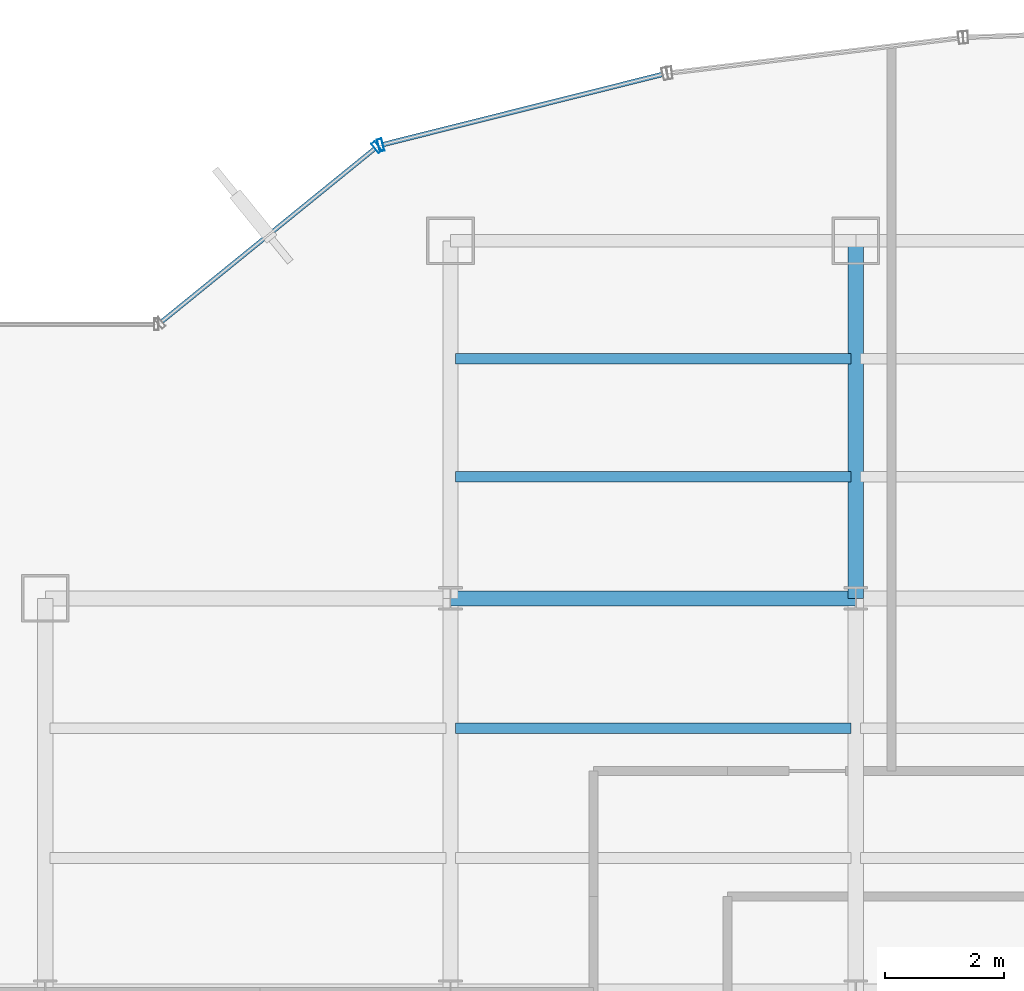
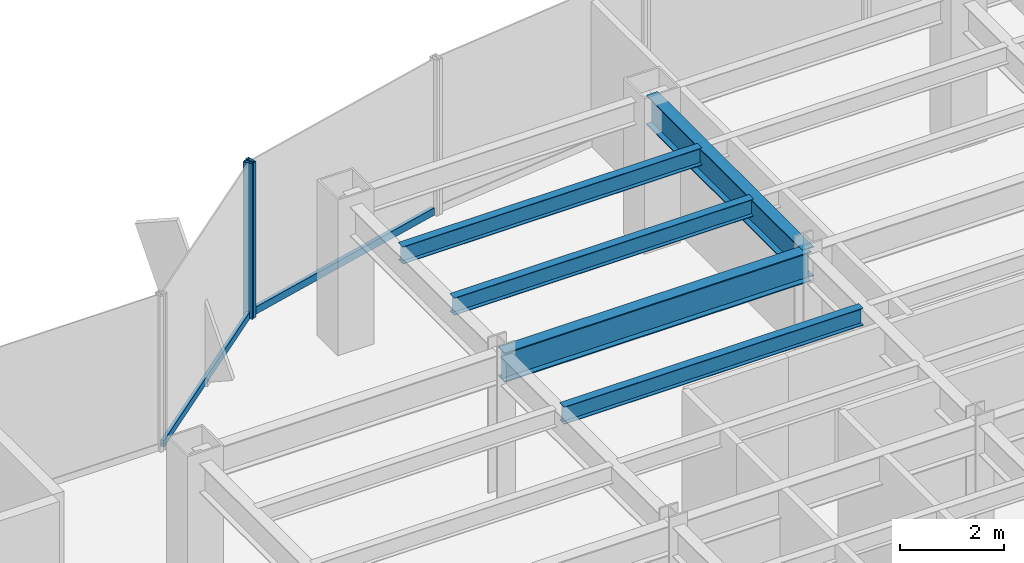
# One storey, part 14 of 26: 5 beams, 4 members, 2 elements without a shape of their own.
"""IFC4 building model written with IfcOpenShell, lengths in metres."""

from ifc_helpers import new_model, si_unit, derived_unit, direction, frame, origin, origin_2d, place, context, subcontext, project, spatial, hollow_rectangle, i_section, extrude, source, transform, mapped, material, material_profile, profile_set, type_object, element, aggregate, save


model = new_model("IFC4")

# Units and contexts
model_context = context("Model", 3, precision=1e-05, world=origin(), true_north=direction((0.0, 1.0)))
body_context = subcontext(model_context, "Body", "Model", "MODEL_VIEW")
ifc_project = project(units=[si_unit("LENGTHUNIT", "METRE"), si_unit("AREAUNIT", "SQUARE_METRE"), si_unit("VOLUMEUNIT", "CUBIC_METRE"), si_unit("PLANEANGLEUNIT", "RADIAN"), si_unit("MASSUNIT", "GRAM", prefix="KILO"), derived_unit("THERMALTRANSMITTANCEUNIT", [(si_unit("POWERUNIT", "WATT"), 1), (si_unit("LENGTHUNIT", "METRE"), -2), (si_unit("THERMODYNAMICTEMPERATUREUNIT", "KELVIN"), -1)])], contexts=[model_context])

# Site, building, storey
site_placement = place(None, origin())
site = spatial("IfcSite", under=ifc_project, at=site_placement, CompositionType="ELEMENT")
building_placement = place(site_placement, origin())
building = spatial("IfcBuilding", under=site, at=building_placement, Name="Skarnbrae Concourse Arena and Tower", CompositionType="ELEMENT")
storey_placement = place(building_placement, frame((0.0, 0.0, 110.550048828125)))
storey = spatial("IfcBuildingStorey", under=building, at=storey_placement, Name="L27", CompositionType="ELEMENT", Elevation=110.550048828125)

# Beams
ifc_material_1 = material(Name="Steel CSA G40.21 350W", Category="steel")
ifc_material_profile_1 = material_profile(ifc_material_1, i_section(OverallWidth=0.256103515625, OverallDepth=0.693115234375, WebThickness=0.014404296875, FlangeThickness=0.023681640625, at=origin_2d()), Name="W690X170")
ifc_profile_set_1 = profile_set([ifc_material_profile_1], Name="Steel CSA G40.21 350W")
beam_type_1 = type_object("IfcBeamType", Name="BM-GIRD-W690X170", PredefinedType="BEAM", material=ifc_profile_set_1)
shared_shape_1 = source(origin(), body_context, "Body", "SweptSolid", [
    extrude(i_section(OverallWidth=0.256103515625, OverallDepth=0.693115234375, WebThickness=0.014404296875, FlangeThickness=0.023681640625, at=origin_2d()), origin(), (0.0, 0.0, 1.0), 6.800048828125),
])
beam_1_placement = place(storey_placement, frame((14.39990234375, 34.39990234375, 3.053466796875), z_axis=(1.0, 0.0, 0.0), x_axis=(0.0, 1.0, 0.0)))
element("IfcBeam", 1, at=beam_1_placement, inside=storey, type_object=beam_type_1, Name="L27 Primary E-W girder Y34.4-2", PredefinedType="BEAM", context=body_context, shape_type="MappedRepresentation", body=[
    mapped(shared_shape_1, transform((0.0, 0.0, 0.0))),
])
shared_shape_2 = source(origin(), body_context, "Body", "SweptSolid", [
    extrude(i_section(OverallWidth=0.256103515625, OverallDepth=0.693115234375, WebThickness=0.014404296875, FlangeThickness=0.023681640625, at=origin_2d()), origin(), (0.0, 0.0, 1.0), 6.0),
])
beam_2_placement = place(storey_placement, frame((21.199951171875, 34.39990234375, 3.053466796875), z_axis=(0.0, 1.0, 0.0), x_axis=(-1.0, 0.0, 0.0)))
element("IfcBeam", 2, at=beam_2_placement, inside=storey, type_object=beam_type_1, Name="L27 Primary N-S girder X21.2-4", PredefinedType="BEAM", context=body_context, shape_type="MappedRepresentation", body=[
    mapped(shared_shape_2, transform((0.0, 0.0, 0.0))),
])
ifc_material_profile_2 = material_profile(ifc_material_1, i_section(OverallWidth=0.177978515625, OverallDepth=0.406982421875, WebThickness=0.0078125, FlangeThickness=0.0126953125, at=origin_2d()), Name="W410X60")
ifc_profile_set_2 = profile_set([ifc_material_profile_2], Name="Steel CSA G40.21 350W")
beam_type_2 = type_object("IfcBeamType", Name="BM-JOIST-W410X60", PredefinedType="JOIST", material=ifc_profile_set_2)
shared_shape_3 = source(origin(), body_context, "Body", "SweptSolid", [
    extrude(i_section(OverallWidth=0.177978515625, OverallDepth=0.406982421875, WebThickness=0.0078125, FlangeThickness=0.0126953125, at=origin_2d()), origin(), (0.0, 0.0, 1.0), 6.64013671875),
])
for number, where, z_axis, x_axis, name in (
    (3, (14.47998046875, 32.221923828125, 3.196533203125), (1.0, 0.0, 0.0), (0.0, 1.0, 0.0), "L27 Secondary floor joist 3.2.2"),
    (4, (14.47998046875, 36.43994140625, 3.196533203125), (1.0, 0.0, 0.0), (0.0, 1.0, 0.0), "L27 Secondary floor joist 4.1.1"),
    (5, (14.47998046875, 38.419921875, 3.196533203125), (1.0, 0.0, 0.0), (0.0, 1.0, 0.0), "L27 Secondary floor joist 4.2.1"),
):
    element("IfcBeam", number, at=place(storey_placement, frame(where, z_axis=z_axis, x_axis=x_axis)), inside=storey, type_object=beam_type_2, Name=name, PredefinedType="JOIST", context=body_context, shape_type="MappedRepresentation", body=[
        mapped(shared_shape_3, transform((0.0, 0.0, 0.0))),
    ])

# Curtain wall, member
ifc_material_2 = material(Name="Bronze anodised aluminium 6063-T6", Category="aluminium")
curtain_wall_type_1 = type_object("IfcCurtainWallType", Name="CW-SYS-03-PORTAL", PredefinedType="USERDEFINED", material=ifc_material_2)
curtain_wall_1_placement = place(storey_placement, origin())
curtain_wall_1 = element("IfcCurtainWall", 6, at=curtain_wall_1_placement, inside=storey, type_object=curtain_wall_type_1, Name="L27 Unitised curtain wall CW-L27-E14", ObjectType="UNITISED CURTAIN WALL", PredefinedType="USERDEFINED")
ifc_material_profile_3 = material_profile(ifc_material_2, hollow_rectangle(XDim=0.080078125, YDim=0.2099609375, WallThickness=0.00439453125, at=origin_2d()), Name="ALU-MULL-80X210")
ifc_profile_set_3 = profile_set([ifc_material_profile_3], Name="Bronze anodised aluminium 6063-T6")
member_type_1 = type_object("IfcMemberType", Name="CWM-CW-03", PredefinedType="MULLION", material=ifc_profile_set_3)
shared_shape_4 = source(origin(), body_context, "Body", "SweptSolid", [
    extrude(hollow_rectangle(XDim=0.080078125, YDim=0.2099609375, WallThickness=0.00439453125, at=origin_2d()), origin(), (0.0, 0.0, 1.0), 3.64990234375),
])
member_1_placement = place(storey_placement, frame((13.227783203125, 42.005615234375, 0.0), z_axis=(0.0, 0.0, 1.0), x_axis=(-0.969903046166, -0.243491439351, 0.0)))
member_1 = element("IfcMember", 7, at=member_1_placement, type_object=member_type_1, Name="CW-L27-E14 Mullion 2", PredefinedType="MULLION", context=body_context, shape_type="MappedRepresentation", body=[
    mapped(shared_shape_4, transform((0.0, 0.0, 0.0))),
])

# Curtain wall, members
curtain_wall_type_2 = type_object("IfcCurtainWallType", Name="CW-SYS-04-MIDZONE", PredefinedType="USERDEFINED", material=ifc_material_2)
curtain_wall_2_placement = place(storey_placement, origin())
curtain_wall_2 = element("IfcCurtainWall", 8, at=curtain_wall_2_placement, inside=storey, type_object=curtain_wall_type_2, Name="L27 Unitised curtain wall CW-L27-E15", ObjectType="UNITISED CURTAIN WALL", PredefinedType="USERDEFINED")
ifc_material_profile_4 = material_profile(ifc_material_2, hollow_rectangle(XDim=0.074951171875, YDim=0.159912109375, WallThickness=0.00439453125, at=origin_2d()), Name="ALU-TRAN-75X160")
ifc_profile_set_4 = profile_set([ifc_material_profile_4], Name="Bronze anodised aluminium 6063-T6")
member_type_2 = type_object("IfcMemberType", Name="CWT-CW-04", PredefinedType="USERDEFINED", material=ifc_profile_set_4)
shared_shape_5 = source(origin(), body_context, "Body", "SweptSolid", [
    extrude(hollow_rectangle(XDim=0.074951171875, YDim=0.159912109375, WallThickness=0.00439453125, at=origin_2d()), origin(), (0.0, 0.0, 1.0), 4.602294921875),
])
member_2_placement = place(storey_placement, frame((13.130615234375, 41.94873046875, 0.079833984375), z_axis=(-0.776251906445, -0.630422856297, 0.0), x_axis=(0.630422856297, -0.776251906445, 0.0)))
member_2 = element("IfcMember", 9, at=member_2_placement, type_object=member_type_2, Name="CW-L27-E15 Transom 1", ObjectType="TRANSOM", PredefinedType="USERDEFINED", context=body_context, shape_type="MappedRepresentation", body=[
    mapped(shared_shape_5, transform((0.0, 0.0, 0.0))),
])
ifc_material_profile_5 = material_profile(ifc_material_2, hollow_rectangle(XDim=0.074951171875, YDim=0.195068359375, WallThickness=0.00439453125, at=origin_2d()), Name="ALU-MULL-75X195")
ifc_profile_set_5 = profile_set([ifc_material_profile_5], Name="Bronze anodised aluminium 6063-T6")
member_type_3 = type_object("IfcMemberType", Name="CWM-CW-04", PredefinedType="MULLION", material=ifc_profile_set_5)
shared_shape_6 = source(origin(), body_context, "Body", "SweptSolid", [
    extrude(hollow_rectangle(XDim=0.074951171875, YDim=0.195068359375, WallThickness=0.00439453125, at=origin_2d()), origin(), (0.0, 0.0, 1.0), 3.64990234375),
])
member_3_placement = place(storey_placement, frame((13.159912109375, 41.972412109375, 0.0), z_axis=(0.0, 0.0, 1.0), x_axis=(-0.776241200471, -0.630436038542, 0.0)))
member_3 = element("IfcMember", 10, at=member_3_placement, type_object=member_type_3, Name="CW-L27-E15 Mullion 1", PredefinedType="MULLION", context=body_context, shape_type="MappedRepresentation", body=[
    mapped(shared_shape_6, transform((0.0, 0.0, 0.0))),
])
aggregate(curtain_wall_2, [member_3, member_2])

# Member
ifc_material_profile_6 = material_profile(ifc_material_2, hollow_rectangle(XDim=0.080078125, YDim=0.169921875, WallThickness=0.00439453125, at=origin_2d()), Name="ALU-TRAN-80X170")
ifc_profile_set_6 = profile_set([ifc_material_profile_6], Name="Bronze anodised aluminium 6063-T6")
member_type_4 = type_object("IfcMemberType", Name="CWT-CW-03", PredefinedType="USERDEFINED", material=ifc_profile_set_6)
shared_shape_7 = source(origin(), body_context, "Body", "SweptSolid", [
    extrude(hollow_rectangle(XDim=0.080078125, YDim=0.169921875, WallThickness=0.00439453125, at=origin_2d()), origin(), (0.0, 0.0, 1.0), 4.837158203125),
])
member_4_placement = place(storey_placement, frame((17.958251953125, 43.193359375, 0.0849609375), z_axis=(-0.969895583622, -0.243521163084, 0.0), x_axis=(0.243521163084, -0.969895583622, 0.0)))
member_4 = element("IfcMember", 11, at=member_4_placement, type_object=member_type_4, Name="CW-L27-E14 Transom 1", ObjectType="TRANSOM", PredefinedType="USERDEFINED", context=body_context, shape_type="MappedRepresentation", body=[
    mapped(shared_shape_7, transform((0.0, 0.0, 0.0))),
])

aggregate(curtain_wall_1, [member_1, member_4])

save(model, "model.ifc")
